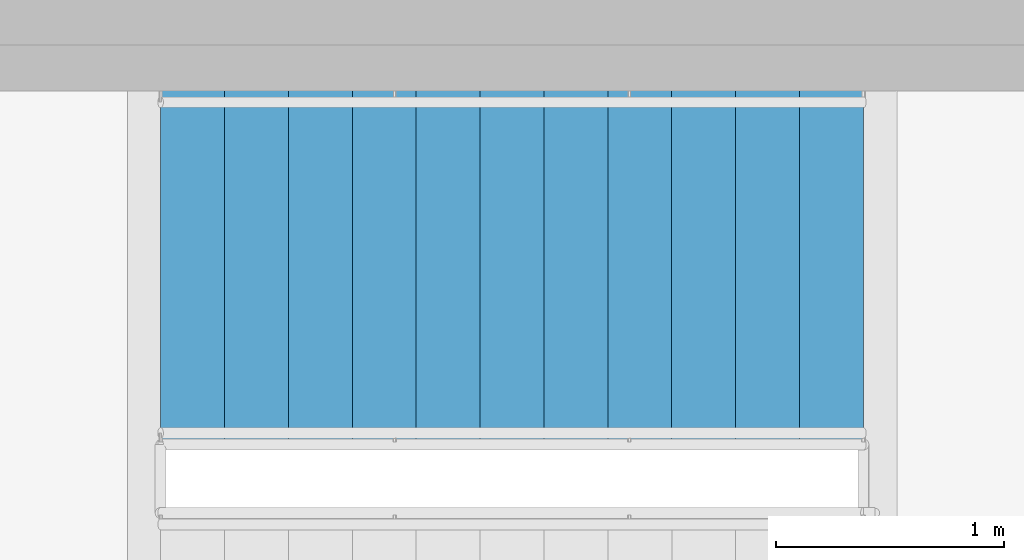
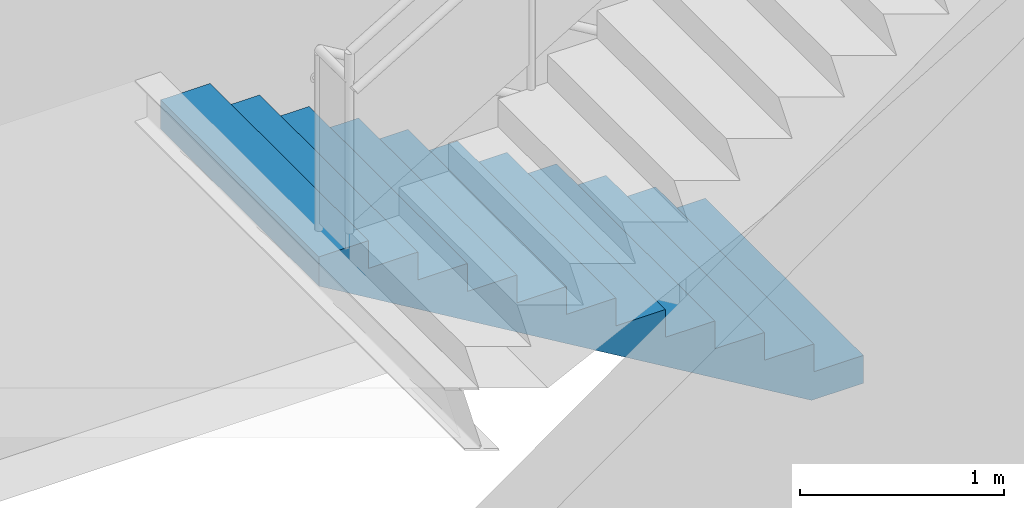
# One storey, part 9 of 12: 1 stair flight, 1 element without a shape of its own.
"""IFC4 building model written with IfcOpenShell, lengths in metres."""

import ifcopenshell
import ifcopenshell.guid

model = None  # the IFC model being written
_history = None  # IfcOwnerHistory: only IFC2X3 demands one
_inside = {}  # id of a spatial element -> (the spatial element, [elements in it])
_under = {}  # id of a project, library or spatial element -> (it, [spatial elements below it])
_declared = {}  # id of a project -> (the project, [libraries it declares])
_typed = {}  # id of a type object -> (the type object, [elements of that type])
_made_of = {}  # id of a material, layer set ... -> (it, [elements and type objects made of it])


def new_model(schema):
    """Start an empty IFC model of exactly this schema.

    Asked for "IFC4X3", IfcOpenShell would pick the latest addendum, in which some entities
    have other attributes; the version numbers below select the first issue.
    IFC2X3 requires an IfcOwnerHistory on every rooted entity: one is made here for all.
    """
    global model, _history
    if schema == "IFC4X3":
        model = ifcopenshell.file(schema_version=(4, 3, 0, 0))
    else:
        model = ifcopenshell.file(schema=schema)
    _inside.clear()
    _under.clear()
    _declared.clear()
    _typed.clear()
    _made_of.clear()
    _history = None
    if model.schema == "IFC2X3":
        org = make("IfcOrganization", Name="unknown")
        user = make(
            "IfcPersonAndOrganization",
            ThePerson=make("IfcPerson", FamilyName="unknown"),
            TheOrganization=org,
        )
        app = make(
            "IfcApplication",
            ApplicationDeveloper=org,
            Version="unknown",
            ApplicationFullName="unknown",
            ApplicationIdentifier="unknown",
        )
        _history = make(
            "IfcOwnerHistory",
            OwningUser=user,
            OwningApplication=app,
            ChangeAction="ADDED",
            CreationDate=0,
        )
    return model


def make(cls, **values):
    """One entity of the class cls with the attributes given. An attribute that is None is left unset."""
    return model.create_entity(
        cls, **{name: value for name, value in values.items() if value is not None}
    )


def rooted(cls, **values):
    """An entity with a GlobalId (a new one), such as an element, a storey or a relation."""
    return make(cls, GlobalId=ifcopenshell.guid.new(), OwnerHistory=_history, **values)


def si_unit(unit_type, name, prefix=None):
    """IfcSIUnit, for example si_unit("LENGTHUNIT", "METRE", prefix="MILLI")."""
    return make("IfcSIUnit", UnitType=unit_type, Prefix=prefix, Name=name)


def assignment(units):
    """IfcUnitAssignment: the units of a project."""
    return None if units is None else make("IfcUnitAssignment", Units=units)


def point(xyz):
    """IfcCartesianPoint."""
    return None if xyz is None else make("IfcCartesianPoint", Coordinates=xyz)


def direction(xyz):
    """IfcDirection."""
    return None if xyz is None else make("IfcDirection", DirectionRatios=xyz)


def frame(location, z_axis=None, x_axis=None):
    """IfcAxis2Placement3D, a coordinate frame: its origin and axes. An axis left out is left unset."""
    return make(
        "IfcAxis2Placement3D",
        Location=point(location),
        Axis=direction(z_axis),
        RefDirection=direction(x_axis),
    )


def origin():
    """The frame at (0, 0, 0) with its axes left unset."""
    return frame((0.0, 0.0, 0.0))


def place(relative_to, where):
    """IfcLocalPlacement: puts the frame where relative to a parent placement (None: the world)."""
    return make(
        "IfcLocalPlacement", PlacementRelTo=relative_to, RelativePlacement=where
    )


def context(
    kind, dimensions, precision=None, world=None, true_north=None, identifier=None
):
    """IfcGeometricRepresentationContext, for example the 3D "Model" context."""
    return make(
        "IfcGeometricRepresentationContext",
        ContextIdentifier=identifier,
        ContextType=kind,
        CoordinateSpaceDimension=dimensions,
        Precision=precision,
        WorldCoordinateSystem=world,
        TrueNorth=true_north,
    )


def subcontext(parent, identifier, kind, view, scale=None):
    """IfcGeometricRepresentationSubContext, for example "Body" below "Model"."""
    return make(
        "IfcGeometricRepresentationSubContext",
        ContextIdentifier=identifier,
        ContextType=kind,
        ParentContext=parent,
        TargetScale=scale,
        TargetView=view,
    )


def project(units=None, contexts=None):
    """IfcProject with its units and contexts."""
    return rooted(
        "IfcProject",
        Name="project",
        RepresentationContexts=contexts,
        UnitsInContext=assignment(units),
    )


def spatial(cls, under=None, at=None, **own):
    """A site, building, storey or space (cls), placed at a placement, below another one or the project."""
    s = rooted(cls, ObjectPlacement=at, **own)
    if under is not None:
        _under.setdefault(under.id(), (under, []))[1].append(s)
    return s


def polyline(points):
    """IfcPolyline through the points."""
    return make("IfcPolyline", Points=[point(p) for p in points])


def outline(outer, holes=None, kind="AREA"):
    """IfcArbitraryClosedProfileDef: a profile drawn as a closed curve; with holes, ...WithVoids."""
    if holes is None:
        return make("IfcArbitraryClosedProfileDef", ProfileType=kind, OuterCurve=outer)
    return make(
        "IfcArbitraryProfileDefWithVoids",
        ProfileType=kind,
        OuterCurve=outer,
        InnerCurves=holes,
    )


def extrude(swept, where, along, depth):
    """IfcExtrudedAreaSolid: the profile swept, set in the frame where, extruded along a direction by depth."""
    return make(
        "IfcExtrudedAreaSolid",
        SweptArea=swept,
        Position=where,
        ExtrudedDirection=direction(along),
        Depth=depth,
    )


def shape(context_of_items, identifier, shape_type, items):
    """IfcShapeRepresentation: the items that make up one representation, for example the "Body"."""
    return make(
        "IfcShapeRepresentation",
        ContextOfItems=context_of_items,
        RepresentationIdentifier=identifier,
        RepresentationType=shape_type,
        Items=items,
    )


def material(Name=None, Category=None):
    """IfcMaterial."""
    return make("IfcMaterial", Name=Name, Category=Category)


def made_of(thing, what):
    """Note that an element or type object is made of a material, layer set ...; save() writes the relation."""
    if what is not None:
        _made_of.setdefault(what.id(), (what, []))[1].append(thing)
    return thing


def type_object(cls, material=None, **own):
    """A type object (cls), such as IfcWallType, which elements share."""
    return made_of(rooted(cls, **own), material)


def element(
    cls,
    number,
    at=None,
    inside=None,
    cuts=None,
    type_object=None,
    material=None,
    context=None,
    identifier="Body",
    shape_type=None,
    held_by="IfcProductDefinitionShape",
    body=None,
    shapes=None,
    **own,
):
    """One element of the class cls, such as IfcWall. Its Tag is "e" and its number.

    at: its placement. inside: the storey or other place that contains it. cuts: it is an
    opening in that element (IfcRelVoidsElement). A single representation is given by context,
    identifier, shape_type and body (its items); several are given by shapes. held_by: the class
    of the entity that holds the representations. save() writes the other relations.
    """
    e = rooted(cls, Tag="e%d" % number, ObjectPlacement=at, **own)
    if body is not None:
        shapes = [shape(context, identifier, shape_type, body)]
    if shapes is not None:
        e.Representation = make(held_by, Representations=shapes)
    if inside is not None:
        _inside.setdefault(inside.id(), (inside, []))[1].append(e)
    if cuts is not None:
        rooted(
            "IfcRelVoidsElement", RelatingBuildingElement=cuts, RelatedOpeningElement=e
        )
    if type_object is not None:
        _typed.setdefault(type_object.id(), (type_object, []))[1].append(e)
    return made_of(e, material)


def aggregate(whole, parts):
    """IfcRelAggregates: a whole, such as a stair, and the parts it consists of."""
    return rooted("IfcRelAggregates", RelatingObject=whole, RelatedObjects=parts)


def save(model, path):
    """Write the relations noted so far, then the file.

    IfcRelAggregates (storeys below a building ...), IfcRelContainedInSpatialStructure (elements
    in a storey), IfcRelDefinesByType, IfcRelAssociatesMaterial and IfcRelDeclares: one each for
    every whole, place, type object, material and project.
    """
    for whole, parts in _under.values():
        aggregate(whole, parts)
    for where, things in _inside.values():
        rooted(
            "IfcRelContainedInSpatialStructure",
            RelatedElements=things,
            RelatingStructure=where,
        )
    for kind, things in _typed.values():
        rooted("IfcRelDefinesByType", RelatedObjects=things, RelatingType=kind)
    for what, things in _made_of.values():
        rooted("IfcRelAssociatesMaterial", RelatedObjects=things, RelatingMaterial=what)
    for by, libraries in _declared.values():
        rooted("IfcRelDeclares", RelatingContext=by, RelatedDefinitions=libraries)
    model.write(path)


model = new_model("IFC4")

# Units and contexts
model_context = context("Model", 3, precision=1e-05, world=origin(), true_north=direction((0.0, 1.0)))
body_context = subcontext(model_context, "Body", "Model", "MODEL_VIEW")
ifc_project = project(units=[si_unit("LENGTHUNIT", "METRE"), si_unit("AREAUNIT", "SQUARE_METRE"), si_unit("VOLUMEUNIT", "CUBIC_METRE"), si_unit("PLANEANGLEUNIT", "RADIAN"), si_unit("MASSUNIT", "GRAM", prefix="KILO")], contexts=[model_context])

# Site, building, storey
site_placement = place(None, origin())
site = spatial("IfcSite", under=ifc_project, at=site_placement, CompositionType="ELEMENT")
building_placement = place(site_placement, origin())
building = spatial("IfcBuilding", under=site, at=building_placement, Name="Namib Vertical Campus", CompositionType="ELEMENT")
storey_placement = place(building_placement, frame((0.0, 0.0, 45.0)))
storey = spatial("IfcBuildingStorey", under=building, at=storey_placement, Name="L10", CompositionType="ELEMENT", Elevation=45.0)

# Stair, stair flight
ifc_material_1 = material(Name="Concrete C40/50 precast", Category="concrete")
stair_type = type_object("IfcStairType", Name="Exit stair 4000 rise 24 risers 3400 wide", PredefinedType="HALF_TURN_STAIR", material=ifc_material_1)
stair_placement = place(storey_placement, origin())
stair = element("IfcStair", 1, at=stair_placement, inside=storey, type_object=stair_type, Name="Exit stair B-S3 L10", PredefinedType="HALF_TURN_STAIR")
ifc_material_2 = material(Name="Concrete C40/50 precast", Category="concrete")
stair_flight_type = type_object("IfcStairFlightType", Name="Stair flight 12 risers 167 1550 wide", PredefinedType="STRAIGHT", material=ifc_material_2)
stair_flight_placement = place(storey_placement, frame((82.949951171875, 39.22509765625, 0.0), z_axis=(0.0, 0.0, 1.0), x_axis=(-1.0, 0.0, 0.0)))
stair_flight = element("IfcStairFlight", 2, at=stair_flight_placement, type_object=stair_flight_type, Name="B-S3 flight 1", NumberOfRisers=12, NumberOfTreads=11, PredefinedType="STRAIGHT", RiserHeight=0.166666667, TreadLength=0.28, context=body_context, shape_type="SweptSolid", body=[
    extrude(outline(polyline([(0.0, 0.0), (0.0, 0.166748046875), (0.280029296875, 0.166748046875), (0.280029296875, 0.333251953125), (0.56005859375, 0.333251953125), (0.56005859375, 0.5), (0.840087890625, 0.5), (0.840087890625, 0.666748046875), (1.1201171875, 0.666748046875), (1.1201171875, 0.833251953125), (1.39990234375, 0.833251953125), (1.39990234375, 1.0), (1.679931640625, 1.0), (1.679931640625, 1.166748046875), (1.9599609375, 1.166748046875), (1.9599609375, 1.333251953125), (2.239990234375, 1.333251953125), (2.239990234375, 1.5), (2.52001953125, 1.5), (2.52001953125, 1.666748046875), (2.800048828125, 1.666748046875), (2.800048828125, 1.833251953125), (3.080078125, 1.833251953125), (3.080078125, 2.0), (3.080078125, 1.658935546875), (0.29296875, 0.0), (0.0, 0.0)])), frame((0.0, 0.77490234375, 0.0), z_axis=(0.0, -1.0, 0.0), x_axis=(1.0, 0.0, 0.0)), (0.0, 0.0, 1.0), 1.550048828125),
])
aggregate(stair, [stair_flight])

save(model, "model.ifc")
